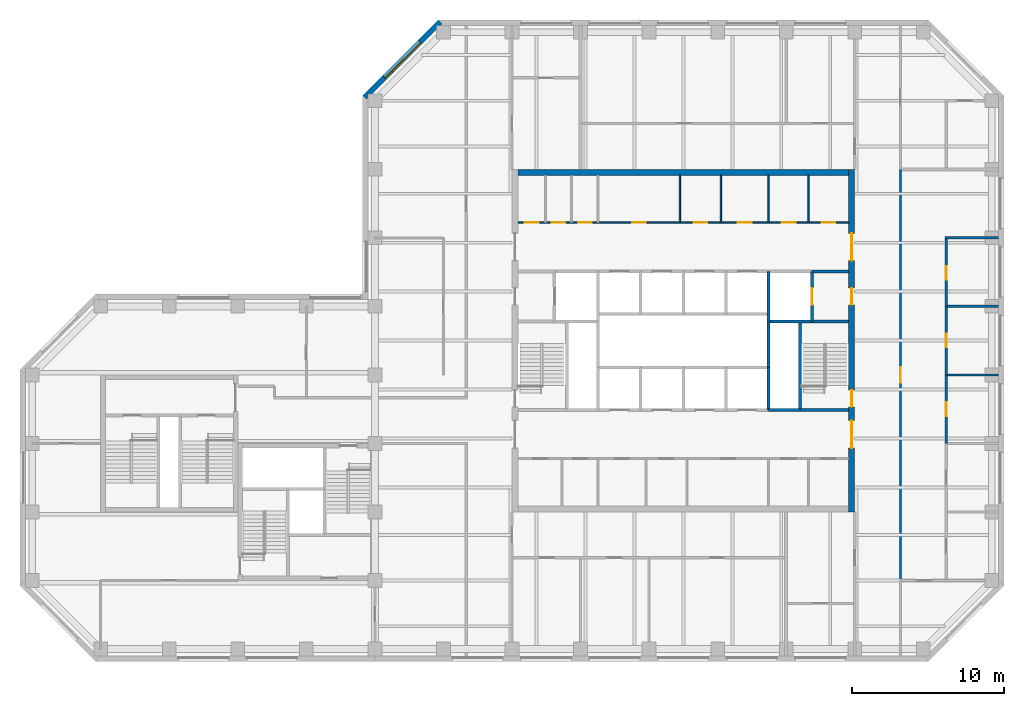
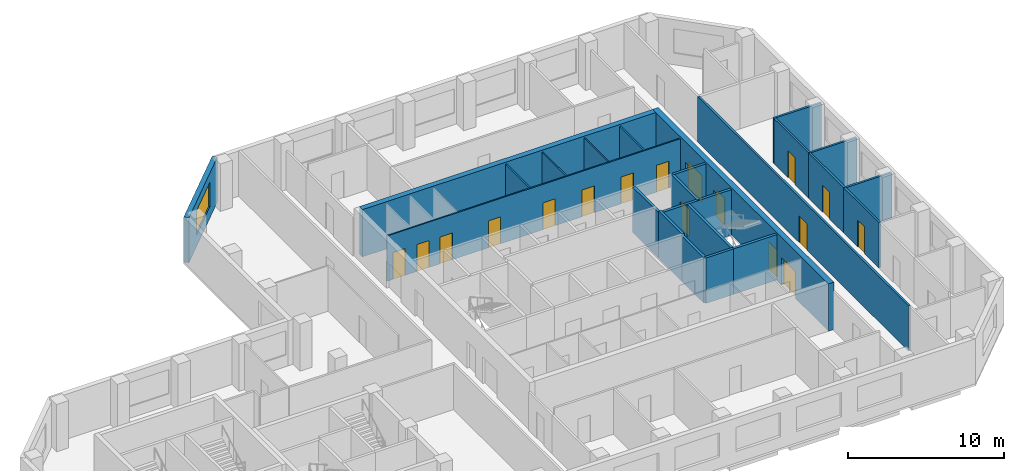
# One storey, part 6 of 9: 24 walls, 17 doors, 1 window, 18 openings.
"""IFC4 building model written with IfcOpenShell, lengths in metres."""

import ifcopenshell
import ifcopenshell.guid

model = None  # the IFC model being written
_history = None  # IfcOwnerHistory: only IFC2X3 demands one
_inside = {}  # id of a spatial element -> (the spatial element, [elements in it])
_under = {}  # id of a project, library or spatial element -> (it, [spatial elements below it])
_declared = {}  # id of a project -> (the project, [libraries it declares])
_typed = {}  # id of a type object -> (the type object, [elements of that type])
_made_of = {}  # id of a material, layer set ... -> (it, [elements and type objects made of it])


def new_model(schema):
    """Start an empty IFC model of exactly this schema.

    Asked for "IFC4X3", IfcOpenShell would pick the latest addendum, in which some entities
    have other attributes; the version numbers below select the first issue.
    IFC2X3 requires an IfcOwnerHistory on every rooted entity: one is made here for all.
    """
    global model, _history
    if schema == "IFC4X3":
        model = ifcopenshell.file(schema_version=(4, 3, 0, 0))
    else:
        model = ifcopenshell.file(schema=schema)
    _inside.clear()
    _under.clear()
    _declared.clear()
    _typed.clear()
    _made_of.clear()
    _history = None
    if model.schema == "IFC2X3":
        org = make("IfcOrganization", Name="unknown")
        user = make(
            "IfcPersonAndOrganization",
            ThePerson=make("IfcPerson", FamilyName="unknown"),
            TheOrganization=org,
        )
        app = make(
            "IfcApplication",
            ApplicationDeveloper=org,
            Version="unknown",
            ApplicationFullName="unknown",
            ApplicationIdentifier="unknown",
        )
        _history = make(
            "IfcOwnerHistory",
            OwningUser=user,
            OwningApplication=app,
            ChangeAction="ADDED",
            CreationDate=0,
        )
    return model


def make(cls, **values):
    """One entity of the class cls with the attributes given. An attribute that is None is left unset."""
    return model.create_entity(
        cls, **{name: value for name, value in values.items() if value is not None}
    )


def rooted(cls, **values):
    """An entity with a GlobalId (a new one), such as an element, a storey or a relation."""
    return make(cls, GlobalId=ifcopenshell.guid.new(), OwnerHistory=_history, **values)


def si_unit(unit_type, name, prefix=None):
    """IfcSIUnit, for example si_unit("LENGTHUNIT", "METRE", prefix="MILLI")."""
    return make("IfcSIUnit", UnitType=unit_type, Prefix=prefix, Name=name)


def assignment(units):
    """IfcUnitAssignment: the units of a project."""
    return None if units is None else make("IfcUnitAssignment", Units=units)


def point(xyz):
    """IfcCartesianPoint."""
    return None if xyz is None else make("IfcCartesianPoint", Coordinates=xyz)


def direction(xyz):
    """IfcDirection."""
    return None if xyz is None else make("IfcDirection", DirectionRatios=xyz)


def frame(location, z_axis=None, x_axis=None):
    """IfcAxis2Placement3D, a coordinate frame: its origin and axes. An axis left out is left unset."""
    return make(
        "IfcAxis2Placement3D",
        Location=point(location),
        Axis=direction(z_axis),
        RefDirection=direction(x_axis),
    )


def frame_2d(location, x_axis=None):
    """IfcAxis2Placement2D, a coordinate frame in the plane: its origin and x axis."""
    return make(
        "IfcAxis2Placement2D", Location=point(location), RefDirection=direction(x_axis)
    )


def origin():
    """The frame at (0, 0, 0) with its axes left unset."""
    return frame((0.0, 0.0, 0.0))


def place(relative_to, where):
    """IfcLocalPlacement: puts the frame where relative to a parent placement (None: the world)."""
    return make(
        "IfcLocalPlacement", PlacementRelTo=relative_to, RelativePlacement=where
    )


def context(
    kind, dimensions, precision=None, world=None, true_north=None, identifier=None
):
    """IfcGeometricRepresentationContext, for example the 3D "Model" context."""
    return make(
        "IfcGeometricRepresentationContext",
        ContextIdentifier=identifier,
        ContextType=kind,
        CoordinateSpaceDimension=dimensions,
        Precision=precision,
        WorldCoordinateSystem=world,
        TrueNorth=true_north,
    )


def subcontext(parent, identifier, kind, view, scale=None):
    """IfcGeometricRepresentationSubContext, for example "Body" below "Model"."""
    return make(
        "IfcGeometricRepresentationSubContext",
        ContextIdentifier=identifier,
        ContextType=kind,
        ParentContext=parent,
        TargetScale=scale,
        TargetView=view,
    )


def project(units=None, contexts=None):
    """IfcProject with its units and contexts."""
    return rooted(
        "IfcProject",
        Name="project",
        RepresentationContexts=contexts,
        UnitsInContext=assignment(units),
    )


def spatial(cls, under=None, at=None, **own):
    """A site, building, storey or space (cls), placed at a placement, below another one or the project."""
    s = rooted(cls, ObjectPlacement=at, **own)
    if under is not None:
        _under.setdefault(under.id(), (under, []))[1].append(s)
    return s


def profile(cls, at=None, kind="AREA", **sizes):
    """A parametric profile (cls). Its sizes go by their IFC names, for example OverallWidth=200.0."""
    return make(cls, ProfileType=kind, Position=at, **sizes)


def rectangle(**sizes):
    """IfcRectangleProfileDef."""
    return profile("IfcRectangleProfileDef", **sizes)


def extrude(swept, where, along, depth):
    """IfcExtrudedAreaSolid: the profile swept, set in the frame where, extruded along a direction by depth."""
    return make(
        "IfcExtrudedAreaSolid",
        SweptArea=swept,
        Position=where,
        ExtrudedDirection=direction(along),
        Depth=depth,
    )


def shape(context_of_items, identifier, shape_type, items):
    """IfcShapeRepresentation: the items that make up one representation, for example the "Body"."""
    return make(
        "IfcShapeRepresentation",
        ContextOfItems=context_of_items,
        RepresentationIdentifier=identifier,
        RepresentationType=shape_type,
        Items=items,
    )


def material(Name=None, Category=None):
    """IfcMaterial."""
    return make("IfcMaterial", Name=Name, Category=Category)


def layer(
    of_material, thickness, ventilated=None, Name=None, Category=None, Priority=None
):
    """IfcMaterialLayer: one layer of a wall or slab, of a material (None: an air gap)."""
    return make(
        "IfcMaterialLayer",
        Material=of_material,
        LayerThickness=thickness,
        IsVentilated=ventilated,
        Name=Name,
        Category=Category,
        Priority=Priority,
    )


def layer_set(layers, Name=None):
    """IfcMaterialLayerSet."""
    return make("IfcMaterialLayerSet", MaterialLayers=layers, LayerSetName=Name)


def constituent(of_material, Name=None, Category=None, fraction=None):
    """IfcMaterialConstituent: one of the materials an element consists of."""
    return make(
        "IfcMaterialConstituent",
        Name=Name,
        Material=of_material,
        Fraction=fraction,
        Category=Category,
    )


def constituent_set(constituents=None, Name=None):
    """IfcMaterialConstituentSet."""
    return make(
        "IfcMaterialConstituentSet", Name=Name, MaterialConstituents=constituents
    )


def made_of(thing, what):
    """Note that an element or type object is made of a material, layer set ...; save() writes the relation."""
    if what is not None:
        _made_of.setdefault(what.id(), (what, []))[1].append(thing)
    return thing


def type_object(cls, material=None, **own):
    """A type object (cls), such as IfcWallType, which elements share."""
    return made_of(rooted(cls, **own), material)


def element(
    cls,
    number,
    at=None,
    inside=None,
    cuts=None,
    type_object=None,
    material=None,
    context=None,
    identifier="Body",
    shape_type=None,
    held_by="IfcProductDefinitionShape",
    body=None,
    shapes=None,
    **own,
):
    """One element of the class cls, such as IfcWall. Its Tag is "e" and its number.

    at: its placement. inside: the storey or other place that contains it. cuts: it is an
    opening in that element (IfcRelVoidsElement). A single representation is given by context,
    identifier, shape_type and body (its items); several are given by shapes. held_by: the class
    of the entity that holds the representations. save() writes the other relations.
    """
    e = rooted(cls, Tag="e%d" % number, ObjectPlacement=at, **own)
    if body is not None:
        shapes = [shape(context, identifier, shape_type, body)]
    if shapes is not None:
        e.Representation = make(held_by, Representations=shapes)
    if inside is not None:
        _inside.setdefault(inside.id(), (inside, []))[1].append(e)
    if cuts is not None:
        rooted(
            "IfcRelVoidsElement", RelatingBuildingElement=cuts, RelatedOpeningElement=e
        )
    if type_object is not None:
        _typed.setdefault(type_object.id(), (type_object, []))[1].append(e)
    return made_of(e, material)


def fill(opening, filler):
    """IfcRelFillsElement: the door or window that sits in an opening."""
    return rooted(
        "IfcRelFillsElement",
        RelatingOpeningElement=opening,
        RelatedBuildingElement=filler,
    )


def aggregate(whole, parts):
    """IfcRelAggregates: a whole, such as a stair, and the parts it consists of."""
    return rooted("IfcRelAggregates", RelatingObject=whole, RelatedObjects=parts)


def save(model, path):
    """Write the relations noted so far, then the file.

    IfcRelAggregates (storeys below a building ...), IfcRelContainedInSpatialStructure (elements
    in a storey), IfcRelDefinesByType, IfcRelAssociatesMaterial and IfcRelDeclares: one each for
    every whole, place, type object, material and project.
    """
    for whole, parts in _under.values():
        aggregate(whole, parts)
    for where, things in _inside.values():
        rooted(
            "IfcRelContainedInSpatialStructure",
            RelatedElements=things,
            RelatingStructure=where,
        )
    for kind, things in _typed.values():
        rooted("IfcRelDefinesByType", RelatedObjects=things, RelatingType=kind)
    for what, things in _made_of.values():
        rooted("IfcRelAssociatesMaterial", RelatedObjects=things, RelatingMaterial=what)
    for by, libraries in _declared.values():
        rooted("IfcRelDeclares", RelatingContext=by, RelatedDefinitions=libraries)
    model.write(path)


model = new_model("IFC4")

# Units and contexts
model_context = context("Model", 3, precision=1e-05, world=origin(), true_north=direction((0.0, 1.0)))
body_context = subcontext(model_context, "Body", "Model", "MODEL_VIEW")
ifc_project = project(units=[si_unit("LENGTHUNIT", "METRE"), si_unit("AREAUNIT", "SQUARE_METRE"), si_unit("VOLUMEUNIT", "CUBIC_METRE"), si_unit("PLANEANGLEUNIT", "RADIAN"), si_unit("MASSUNIT", "GRAM", prefix="KILO")], contexts=[model_context])

# Site, building, storey
site_placement = place(None, origin())
site = spatial("IfcSite", under=ifc_project, at=site_placement, CompositionType="ELEMENT")
building_placement = place(site_placement, origin())
building = spatial("IfcBuilding", under=site, at=building_placement, Name="Quoin Convention Tower", CompositionType="ELEMENT")
storey_placement = place(building_placement, frame((0.0, 0.0, 181.0)))
storey = spatial("IfcBuildingStorey", under=building, at=storey_placement, Name="L47", CompositionType="ELEMENT", Elevation=181.0)

# Walls
ifc_material_1 = material(Name="Plasterboard")
ifc_layer_1 = layer(ifc_material_1, 0.012451171875, Name="Finish")
ifc_material_2 = material(Name="Steel stud framing", Category="steel")
ifc_layer_2 = layer(ifc_material_2, 0.125, Name="Structure")
ifc_layer_3 = layer(ifc_material_1, 0.012451171875, Name="Finish")
ifc_layer_set_1 = layer_set([ifc_layer_1, ifc_layer_2, ifc_layer_3], Name="Steel stud framing")
wall_type_1 = type_object("IfcWallType", Name="Acoustic partition 150", PredefinedType="PARTITIONING", material=ifc_layer_set_1)
for number, where, z_axis, x_axis, name in (
    (1, (73.574951171875, 58.5, 0.0), (0.0, 0.0, 1.0), (1.0, 0.0, 0.0), "pw-L47-015"),
    (2, (73.574951171875, 63.0, 0.0), (0.0, 0.0, 1.0), (1.0, 0.0, 0.0), "pw-L47-017"),
):
    element("IfcWall", number, at=place(storey_placement, frame(where, z_axis=z_axis, x_axis=x_axis)), inside=storey, type_object=wall_type_1, Name=name, PredefinedType="PARTITIONING", context=body_context, shape_type="SweptSolid", body=[
        extrude(rectangle(XDim=3.375, YDim=0.14990234375, at=frame_2d((1.6875, 0.0))), origin(), (0.0, 0.0, 1.0), 3.550048828125),
    ])
wall_1_placement = place(storey_placement, frame((73.425048828125, 67.5, 0.0), z_axis=(0.0, 0.0, 1.0), x_axis=(1.0, 0.0, 0.0)))
element("IfcWall", 3, at=wall_1_placement, inside=storey, type_object=wall_type_1, Name="pw-L47-018", PredefinedType="PARTITIONING", context=body_context, shape_type="SweptSolid", body=[
    extrude(rectangle(XDim=3.52490234375, YDim=0.14990234375, at=frame_2d((1.762451171875, 0.0))), origin(), (0.0, 0.0, 1.0), 3.550048828125),
])

# Wall, opening, door
wall_2_placement = place(storey_placement, frame((73.5, 54.0, 0.0), z_axis=(0.0, 0.0, 1.0), x_axis=(0.0, 1.0, 0.0)))
wall_2 = element("IfcWall", 4, at=wall_2_placement, inside=storey, type_object=wall_type_1, Name="pw-L47-044", PredefinedType="PARTITIONING", context=body_context, shape_type="SweptSolid", body=[
    extrude(rectangle(XDim=4.5, YDim=0.14990234375, at=frame_2d((2.25, 0.0))), origin(), (0.0, 0.0, 1.0), 3.550048828125),
])
opening_1_placement = place(wall_2_placement, frame((1.800048828125, 0.0, 0.0)))
opening_1 = element("IfcOpeningElement", 5, at=opening_1_placement, cuts=wall_2, Name="Opening DOH5-16", PredefinedType="OPENING", context=body_context, shape_type="SweptSolid", body=[
    extrude(rectangle(XDim=0.89990234375, YDim=2.10009765625, at=frame_2d((0.449951171875, 1.050048828125))), frame((0.0, 0.0849609375, 0.0), z_axis=(0.0, -1.0, 0.0), x_axis=(1.0, 0.0, 0.0)), (0.0, 0.0, 1.0), 0.169921875),
])
ifc_material_3 = material(Name="Steel door leaf", Category="steel")
door_type_1 = type_object("IfcDoorType", Name="Office door 900 x 2100", OperationType="SINGLE_SWING_RIGHT", PredefinedType="DOOR", material=ifc_material_3)
door_1_placement = place(opening_1_placement, origin())
door_1 = element("IfcDoor", 6, at=door_1_placement, inside=storey, type_object=door_type_1, Name="dr-L47-22", OperationType="SINGLE_SWING_RIGHT", OverallHeight=2.10009765625, OverallWidth=0.89990234375, PredefinedType="DOOR", context=body_context, shape_type="SweptSolid", body=[
    extrude(rectangle(XDim=0.89990234375, YDim=2.10009765625, at=frame_2d((0.449951171875, 1.050048828125))), frame((0.0, 0.02490234375, 0.0), z_axis=(0.0, -1.0, 0.0), x_axis=(1.0, 0.0, 0.0)), (0.0, 0.0, 1.0), 0.050048828125),
])
fill(opening_1, door_1)

wall_3_placement = place(storey_placement, frame((73.5, 58.5, 0.0), z_axis=(0.0, 0.0, 1.0), x_axis=(0.0, 1.0, 0.0)))
wall_3 = element("IfcWall", 7, at=wall_3_placement, inside=storey, type_object=wall_type_1, Name="pw-L47-046", PredefinedType="PARTITIONING", context=body_context, shape_type="SweptSolid", body=[
    extrude(rectangle(XDim=4.5, YDim=0.14990234375, at=frame_2d((2.25, 0.0))), origin(), (0.0, 0.0, 1.0), 3.550048828125),
])
opening_2_placement = place(wall_3_placement, frame((1.800048828125, 0.0, 0.0)))
opening_2 = element("IfcOpeningElement", 8, at=opening_2_placement, cuts=wall_3, Name="Opening DOH5-18", PredefinedType="OPENING", context=body_context, shape_type="SweptSolid", body=[
    extrude(rectangle(XDim=0.89990234375, YDim=2.10009765625, at=frame_2d((0.449951171875, 1.050048828125))), frame((0.0, 0.0849609375, 0.0), z_axis=(0.0, -1.0, 0.0), x_axis=(1.0, 0.0, 0.0)), (0.0, 0.0, 1.0), 0.169921875),
])
door_2_placement = place(opening_2_placement, origin())
door_2 = element("IfcDoor", 9, at=door_2_placement, inside=storey, type_object=door_type_1, Name="dr-L47-23", OperationType="SINGLE_SWING_RIGHT", OverallHeight=2.10009765625, OverallWidth=0.89990234375, PredefinedType="DOOR", context=body_context, shape_type="SweptSolid", body=[
    extrude(rectangle(XDim=0.89990234375, YDim=2.10009765625, at=frame_2d((0.449951171875, 1.050048828125))), frame((0.0, 0.02490234375, 0.0), z_axis=(0.0, -1.0, 0.0), x_axis=(1.0, 0.0, 0.0)), (0.0, 0.0, 1.0), 0.050048828125),
])
fill(opening_2, door_2)

wall_4_placement = place(storey_placement, frame((73.5, 63.0, 0.0), z_axis=(0.0, 0.0, 1.0), x_axis=(0.0, 1.0, 0.0)))
wall_4 = element("IfcWall", 10, at=wall_4_placement, inside=storey, type_object=wall_type_1, Name="pw-L47-049", PredefinedType="PARTITIONING", context=body_context, shape_type="SweptSolid", body=[
    extrude(rectangle(XDim=4.425048828125, YDim=0.14990234375, at=frame_2d((2.21240234375, 0.0))), origin(), (0.0, 0.0, 1.0), 3.550048828125),
])
opening_3_placement = place(wall_4_placement, frame((1.75, 0.0, 0.0)))
opening_3 = element("IfcOpeningElement", 11, at=opening_3_placement, cuts=wall_4, Name="Opening DOH5-19", PredefinedType="OPENING", context=body_context, shape_type="SweptSolid", body=[
    extrude(rectangle(XDim=0.89990234375, YDim=2.10009765625, at=frame_2d((0.449951171875, 1.050048828125))), frame((0.0, 0.0849609375, 0.0), z_axis=(0.0, -1.0, 0.0), x_axis=(1.0, 0.0, 0.0)), (0.0, 0.0, 1.0), 0.169921875),
])
door_3_placement = place(opening_3_placement, origin())
door_3 = element("IfcDoor", 12, at=door_3_placement, inside=storey, type_object=door_type_1, Name="dr-L47-24", OperationType="SINGLE_SWING_RIGHT", OverallHeight=2.10009765625, OverallWidth=0.89990234375, PredefinedType="DOOR", context=body_context, shape_type="SweptSolid", body=[
    extrude(rectangle(XDim=0.89990234375, YDim=2.10009765625, at=frame_2d((0.449951171875, 1.050048828125))), frame((0.0, 0.02490234375, 0.0), z_axis=(0.0, -1.0, 0.0), x_axis=(1.0, 0.0, 0.0)), (0.0, 0.0, 1.0), 0.050048828125),
])
fill(opening_3, door_3)

# Wall, opening, window
ifc_material_4 = material(Name="Brick masonry", Category="masonry")
ifc_layer_4 = layer(ifc_material_4, 0.35009765625)
ifc_layer_set_2 = layer_set([ifc_layer_4], Name="Brick masonry")
wall_type_2 = type_object("IfcWallType", Name="Brick facade wall", PredefinedType="STANDARD", material=ifc_layer_set_2)
wall_5_placement = place(storey_placement, frame((40.29248046875, 81.67626953125, 0.0), z_axis=(0.0, 0.0, 1.0), x_axis=(-0.707106781187, -0.707106781187, 0.0)))
wall_5 = element("IfcWall", 13, at=wall_5_placement, inside=storey, type_object=wall_type_2, Name="fw-L47-40500_81000", PredefinedType="STANDARD", context=body_context, shape_type="SweptSolid", body=[
    extrude(rectangle(XDim=7.02685546875, YDim=0.35009765625, at=frame_2d((3.513427734375, 0.0))), origin(), (0.0, 0.0, 1.0), 3.52490234375),
])
opening_4_placement = place(wall_5_placement, frame((1.86328125, 0.0, 0.89990234375)))
opening_4 = element("IfcOpeningElement", 14, at=opening_4_placement, cuts=wall_5, Name="Opening W-02", PredefinedType="OPENING", context=body_context, shape_type="SweptSolid", body=[
    extrude(rectangle(XDim=3.300048828125, YDim=1.89990234375, at=frame_2d((1.64990234375, 0.949951171875))), frame((0.0, 0.18505859375, 0.0), z_axis=(0.0, -1.0, 0.0), x_axis=(1.0, 0.0, 0.0)), (0.0, 0.0, 1.0), 0.3701171875),
])
ifc_material_5 = material(Name="Aluminium", Category="aluminium")
ifc_constituent_1 = constituent(ifc_material_5, Name="Frame")
ifc_material_6 = material(Name="Insulated glass", Category="glass")
ifc_constituent_2 = constituent(ifc_material_6, Name="Glazing")
ifc_constituent_set = constituent_set(constituents=[ifc_constituent_1, ifc_constituent_2], Name="Aluminium")
window_type = type_object("IfcWindowType", Name="Office window", PartitioningType="DOUBLE_PANEL_VERTICAL", PredefinedType="WINDOW", material=ifc_constituent_set)
window_placement = place(opening_4_placement, origin())
window = element("IfcWindow", 15, at=window_placement, inside=storey, type_object=window_type, Name="win-L47-37808_79192", OverallHeight=1.89990234375, OverallWidth=3.300048828125, PartitioningType="SINGLE_PANEL", PredefinedType="WINDOW", context=body_context, shape_type="SweptSolid", body=[
    extrude(rectangle(XDim=3.300048828125, YDim=1.89990234375, at=frame_2d((1.64990234375, 0.949951171875))), frame((0.0, 0.0849609375, 0.0), z_axis=(0.0, -1.0, 0.0), x_axis=(1.0, 0.0, 0.0)), (0.0, 0.0, 1.0), 0.06005859375),
])
fill(opening_4, window)

# Wall, openings, doors
ifc_layer_5 = layer(ifc_material_1, 0.012451171875, Name="Finish")
ifc_layer_6 = layer(ifc_material_2, 0.074951171875, Name="Structure")
ifc_layer_7 = layer(ifc_material_1, 0.012451171875, Name="Finish")
ifc_layer_set_3 = layer_set([ifc_layer_5, ifc_layer_6, ifc_layer_7], Name="Steel stud framing")
wall_type_3 = type_object("IfcWallType", Name="Core partition wall", PredefinedType="PARTITIONING", material=ifc_layer_set_3)
wall_6_placement = place(storey_placement, frame((45.39990234375, 68.5, 0.0), z_axis=(0.0, 0.0, 1.0), x_axis=(1.0, 0.0, 0.0)))
wall_6 = element("IfcWall", 16, at=wall_6_placement, inside=storey, type_object=wall_type_3, Name="cr-C1-L47-h19000_400", PredefinedType="PARTITIONING", context=body_context, shape_type="SweptSolid", body=[
    extrude(rectangle(XDim=21.7001953125, YDim=0.10009765625, at=frame_2d((10.85009765625, 0.0))), origin(), (0.0, 0.0, 1.0), 3.550048828125),
])
opening_5_placement = place(wall_6_placement, frame((19.9375, 0.0, 0.0)))
opening_5 = element("IfcOpeningElement", 17, at=opening_5_placement, cuts=wall_6, Name="Opening DCV4-14", PredefinedType="OPENING", context=body_context, shape_type="SweptSolid", body=[
    extrude(rectangle(XDim=0.89990234375, YDim=2.10009765625, at=frame_2d((0.449951171875, 1.050048828125))), frame((0.0, 0.06005859375, 0.0), z_axis=(0.0, -1.0, 0.0), x_axis=(1.0, 0.0, 0.0)), (0.0, 0.0, 1.0), 0.1201171875),
])
opening_6_placement = place(wall_6_placement, frame((17.3125, 0.0, 0.0)))
opening_6 = element("IfcOpeningElement", 18, at=opening_6_placement, cuts=wall_6, Name="Opening DCV4-13", PredefinedType="OPENING", context=body_context, shape_type="SweptSolid", body=[
    extrude(rectangle(XDim=0.89990234375, YDim=2.10009765625, at=frame_2d((0.449951171875, 1.050048828125))), frame((0.0, 0.06005859375, 0.0), z_axis=(0.0, -1.0, 0.0), x_axis=(1.0, 0.0, 0.0)), (0.0, 0.0, 1.0), 0.1201171875),
])
opening_7_placement = place(wall_6_placement, frame((0.4423828125, 0.0, 0.0)))
opening_7 = element("IfcOpeningElement", 19, at=opening_7_placement, cuts=wall_6, Name="Opening DCV4-05", PredefinedType="OPENING", context=body_context, shape_type="SweptSolid", body=[
    extrude(rectangle(XDim=0.89990234375, YDim=2.10009765625, at=frame_2d((0.449951171875, 1.050048828125))), frame((0.0, 0.06005859375, 0.0), z_axis=(0.0, -1.0, 0.0), x_axis=(1.0, 0.0, 0.0)), (0.0, 0.0, 1.0), 0.1201171875),
])
opening_8_placement = place(wall_6_placement, frame((2.201416015625, 0.0, 0.0)))
opening_8 = element("IfcOpeningElement", 20, at=opening_8_placement, cuts=wall_6, Name="Opening DCV4-06", PredefinedType="OPENING", context=body_context, shape_type="SweptSolid", body=[
    extrude(rectangle(XDim=0.89990234375, YDim=2.10009765625, at=frame_2d((0.449951171875, 1.050048828125))), frame((0.0, 0.06005859375, 0.0), z_axis=(0.0, -1.0, 0.0), x_axis=(1.0, 0.0, 0.0)), (0.0, 0.0, 1.0), 0.1201171875),
])
opening_9_placement = place(wall_6_placement, frame((3.93359375, 0.0, 0.0)))
opening_9 = element("IfcOpeningElement", 21, at=opening_9_placement, cuts=wall_6, Name="Opening DCV4-07", PredefinedType="OPENING", context=body_context, shape_type="SweptSolid", body=[
    extrude(rectangle(XDim=0.89990234375, YDim=2.10009765625, at=frame_2d((0.449951171875, 1.050048828125))), frame((0.0, 0.06005859375, 0.0), z_axis=(0.0, -1.0, 0.0), x_axis=(1.0, 0.0, 0.0)), (0.0, 0.0, 1.0), 0.1201171875),
])
opening_10_placement = place(wall_6_placement, frame((14.431884765625, 0.0, 0.0)))
opening_10 = element("IfcOpeningElement", 22, at=opening_10_placement, cuts=wall_6, Name="Opening DCV4-12", PredefinedType="OPENING", context=body_context, shape_type="SweptSolid", body=[
    extrude(rectangle(XDim=0.89990234375, YDim=2.10009765625, at=frame_2d((0.449951171875, 1.050048828125))), frame((0.0, 0.06005859375, 0.0), z_axis=(0.0, -1.0, 0.0), x_axis=(1.0, 0.0, 0.0)), (0.0, 0.0, 1.0), 0.1201171875),
])
opening_11_placement = place(wall_6_placement, frame((11.52001953125, 0.0, 0.0)))
opening_11 = element("IfcOpeningElement", 23, at=opening_11_placement, cuts=wall_6, Name="Opening DCV4-10", PredefinedType="OPENING", context=body_context, shape_type="SweptSolid", body=[
    extrude(rectangle(XDim=0.89990234375, YDim=2.10009765625, at=frame_2d((0.449951171875, 1.050048828125))), frame((0.0, 0.06005859375, 0.0), z_axis=(0.0, -1.0, 0.0), x_axis=(1.0, 0.0, 0.0)), (0.0, 0.0, 1.0), 0.1201171875),
])
opening_12_placement = place(wall_6_placement, frame((7.488037109375, 0.0, 0.0)))
opening_12 = element("IfcOpeningElement", 24, at=opening_12_placement, cuts=wall_6, Name="Opening DCV4-09", PredefinedType="OPENING", context=body_context, shape_type="SweptSolid", body=[
    extrude(rectangle(XDim=0.89990234375, YDim=2.10009765625, at=frame_2d((0.449951171875, 1.050048828125))), frame((0.0, 0.06005859375, 0.0), z_axis=(0.0, -1.0, 0.0), x_axis=(1.0, 0.0, 0.0)), (0.0, 0.0, 1.0), 0.1201171875),
])
door_type_2 = type_object("IfcDoorType", Name="Core room door 900 x 2100", OperationType="SINGLE_SWING_LEFT", PredefinedType="DOOR", material=ifc_material_3)
door_4_placement = place(opening_5_placement, origin())
door_4 = element("IfcDoor", 25, at=door_4_placement, inside=storey, type_object=door_type_2, Name="cd-C1-L47-CNE0-lobB-CD4707", OperationType="SINGLE_SWING_RIGHT", OverallHeight=2.10009765625, OverallWidth=0.89990234375, PredefinedType="DOOR", context=body_context, shape_type="SweptSolid", body=[
    extrude(rectangle(XDim=0.89990234375, YDim=2.10009765625, at=frame_2d((0.449951171875, 1.050048828125))), frame((0.0, 0.02490234375, 0.0), z_axis=(0.0, -1.0, 0.0), x_axis=(1.0, 0.0, 0.0)), (0.0, 0.0, 1.0), 0.050048828125),
])
fill(opening_5, door_4)
door_5_placement = place(opening_6_placement, origin())
door_5 = element("IfcDoor", 26, at=door_5_placement, inside=storey, type_object=door_type_2, Name="cd-C1-L47-CNE1-lobB-CD4708", OperationType="SINGLE_SWING_RIGHT", OverallHeight=2.10009765625, OverallWidth=0.89990234375, PredefinedType="DOOR", context=body_context, shape_type="SweptSolid", body=[
    extrude(rectangle(XDim=0.89990234375, YDim=2.10009765625, at=frame_2d((0.449951171875, 1.050048828125))), frame((0.0, 0.02490234375, 0.0), z_axis=(0.0, -1.0, 0.0), x_axis=(1.0, 0.0, 0.0)), (0.0, 0.0, 1.0), 0.050048828125),
])
fill(opening_6, door_5)
door_6_placement = place(opening_7_placement, origin())
door_6 = element("IfcDoor", 27, at=door_6_placement, inside=storey, type_object=door_type_2, Name="cd-C1-L47-CNW0-lobB-CD4709", OperationType="SINGLE_SWING_RIGHT", OverallHeight=2.10009765625, OverallWidth=0.89990234375, PredefinedType="DOOR", context=body_context, shape_type="SweptSolid", body=[
    extrude(rectangle(XDim=0.89990234375, YDim=2.10009765625, at=frame_2d((0.449951171875, 1.050048828125))), frame((0.0, 0.02490234375, 0.0), z_axis=(0.0, -1.0, 0.0), x_axis=(1.0, 0.0, 0.0)), (0.0, 0.0, 1.0), 0.050048828125),
])
fill(opening_7, door_6)
door_7_placement = place(opening_8_placement, origin())
door_7 = element("IfcDoor", 28, at=door_7_placement, inside=storey, type_object=door_type_2, Name="cd-C1-L47-CNW1-lobB-CD4710", OperationType="SINGLE_SWING_RIGHT", OverallHeight=2.10009765625, OverallWidth=0.89990234375, PredefinedType="DOOR", context=body_context, shape_type="SweptSolid", body=[
    extrude(rectangle(XDim=0.89990234375, YDim=2.10009765625, at=frame_2d((0.449951171875, 1.050048828125))), frame((0.0, 0.02490234375, 0.0), z_axis=(0.0, -1.0, 0.0), x_axis=(1.0, 0.0, 0.0)), (0.0, 0.0, 1.0), 0.050048828125),
])
fill(opening_8, door_7)
door_8_placement = place(opening_9_placement, origin())
door_8 = element("IfcDoor", 29, at=door_8_placement, inside=storey, type_object=door_type_2, Name="cd-C1-L47-CNW2-lobB-CD4711", OperationType="SINGLE_SWING_RIGHT", OverallHeight=2.10009765625, OverallWidth=0.89990234375, PredefinedType="DOOR", context=body_context, shape_type="SweptSolid", body=[
    extrude(rectangle(XDim=0.89990234375, YDim=2.10009765625, at=frame_2d((0.449951171875, 1.050048828125))), frame((0.0, 0.02490234375, 0.0), z_axis=(0.0, -1.0, 0.0), x_axis=(1.0, 0.0, 0.0)), (0.0, 0.0, 1.0), 0.050048828125),
])
fill(opening_9, door_8)
door_9_placement = place(opening_10_placement, origin())
door_9 = element("IfcDoor", 30, at=door_9_placement, inside=storey, type_object=door_type_2, Name="cd-C1-L47-F40-lobB-CD4719", OperationType="SINGLE_SWING_RIGHT", OverallHeight=2.10009765625, OverallWidth=0.89990234375, PredefinedType="DOOR", context=body_context, shape_type="SweptSolid", body=[
    extrude(rectangle(XDim=0.89990234375, YDim=2.10009765625, at=frame_2d((0.449951171875, 1.050048828125))), frame((0.0, 0.02490234375, 0.0), z_axis=(0.0, -1.0, 0.0), x_axis=(1.0, 0.0, 0.0)), (0.0, 0.0, 1.0), 0.050048828125),
])
fill(opening_10, door_9)
door_10_placement = place(opening_11_placement, origin())
door_10 = element("IfcDoor", 31, at=door_10_placement, inside=storey, type_object=door_type_2, Name="cd-C1-L47-F41-lobB-CD4720", OperationType="SINGLE_SWING_RIGHT", OverallHeight=2.10009765625, OverallWidth=0.89990234375, PredefinedType="DOOR", context=body_context, shape_type="SweptSolid", body=[
    extrude(rectangle(XDim=0.89990234375, YDim=2.10009765625, at=frame_2d((0.449951171875, 1.050048828125))), frame((0.0, 0.02490234375, 0.0), z_axis=(0.0, -1.0, 0.0), x_axis=(1.0, 0.0, 0.0)), (0.0, 0.0, 1.0), 0.050048828125),
])
fill(opening_11, door_10)
door_11_placement = place(opening_12_placement, origin())
door_11 = element("IfcDoor", 32, at=door_11_placement, inside=storey, type_object=door_type_2, Name="cd-C1-L47-F42-lobB-CD4721", OperationType="SINGLE_SWING_RIGHT", OverallHeight=2.10009765625, OverallWidth=0.89990234375, PredefinedType="DOOR", context=body_context, shape_type="SweptSolid", body=[
    extrude(rectangle(XDim=0.89990234375, YDim=2.10009765625, at=frame_2d((0.449951171875, 1.050048828125))), frame((0.0, 0.02490234375, 0.0), z_axis=(0.0, -1.0, 0.0), x_axis=(1.0, 0.0, 0.0)), (0.0, 0.0, 1.0), 0.050048828125),
])
fill(opening_12, door_11)

# Walls
for number, where, z_axis, x_axis, name in (
    (33, (56.02587890625, 68.5, 0.0), (0.0, 0.0, 1.0), (0.0, 1.0, 0.0), "cr-C1-L47-v11026_19000"),
    (34, (58.714111328125, 68.5, 0.0), (0.0, 0.0, 1.0), (0.0, 1.0, 0.0), "cr-C1-L47-v13714_19000"),
    (35, (61.85009765625, 68.5, 0.0), (0.0, 0.0, 1.0), (0.0, 1.0, 0.0), "cr-C1-L47-v16850_19000"),
    (36, (64.47509765625, 68.5, 0.0), (0.0, 0.0, 1.0), (0.0, 1.0, 0.0), "cr-C1-L47-v19475_19000"),
):
    element("IfcWall", number, at=place(storey_placement, frame(where, z_axis=z_axis, x_axis=x_axis)), inside=storey, type_object=wall_type_3, Name=name, PredefinedType="PARTITIONING", context=body_context, shape_type="SweptSolid", body=[
        extrude(rectangle(XDim=3.10009765625, YDim=0.10009765625, at=frame_2d((1.550048828125, 0.0))), origin(), (0.0, 0.0, 1.0), 3.550048828125),
    ])
ifc_material_7 = material(Name="Concrete C50", Category="concrete")
ifc_layer_8 = layer(ifc_material_7, 0.199951171875)
ifc_layer_set_4 = layer_set([ifc_layer_8], Name="Concrete C50")
wall_type_4 = type_object("IfcWallType", Name="Core shaft wall", PredefinedType="SOLIDWALL", material=ifc_layer_set_4)
wall_7_placement = place(storey_placement, frame((61.85009765625, 56.199951171875, 0.0), z_axis=(0.0, 0.0, 1.0), x_axis=(1.0, 0.0, 0.0)))
element("IfcWall", 37, at=wall_7_placement, inside=storey, type_object=wall_type_4, Name="cr-C1-L47-h6700_16850", PredefinedType="SOLIDWALL", context=body_context, shape_type="SweptSolid", body=[
    extrude(rectangle(XDim=2.0498046875, YDim=0.199951171875, at=frame_2d((1.02490234375, 0.0))), origin(), (0.0, 0.0, 1.0), 3.550048828125),
])
wall_8_placement = place(storey_placement, frame((63.89990234375, 56.199951171875, 0.0), z_axis=(0.0, 0.0, 1.0), x_axis=(1.0, 0.0, 0.0)))
element("IfcWall", 38, at=wall_8_placement, inside=storey, type_object=wall_type_4, Name="cr-C1-L47-h6700_18900", PredefinedType="SOLIDWALL", context=body_context, shape_type="SweptSolid", body=[
    extrude(rectangle(XDim=3.2001953125, YDim=0.199951171875, at=frame_2d((1.60009765625, 0.0))), origin(), (0.0, 0.0, 1.0), 3.550048828125),
])
wall_9_placement = place(storey_placement, frame((61.85009765625, 62.0, 0.0), z_axis=(0.0, 0.0, 1.0), x_axis=(1.0, 0.0, 0.0)))
element("IfcWall", 39, at=wall_9_placement, inside=storey, type_object=wall_type_4, Name="cr-C1-L47-h12500_16850", PredefinedType="SOLIDWALL", context=body_context, shape_type="SweptSolid", body=[
    extrude(rectangle(XDim=5.25, YDim=0.199951171875, at=frame_2d((2.625, 0.0))), origin(), (0.0, 0.0, 1.0), 3.550048828125),
])
wall_10_placement = place(storey_placement, frame((64.699951171875, 65.300048828125, 0.0), z_axis=(0.0, 0.0, 1.0), x_axis=(1.0, 0.0, 0.0)))
element("IfcWall", 40, at=wall_10_placement, inside=storey, type_object=wall_type_4, Name="cr-C1-L47-h15800_19700", PredefinedType="SOLIDWALL", context=body_context, shape_type="SweptSolid", body=[
    extrude(rectangle(XDim=2.400146484375, YDim=0.199951171875, at=frame_2d((1.2001953125, 0.0))), origin(), (0.0, 0.0, 1.0), 3.550048828125),
])
wall_11_placement = place(storey_placement, frame((61.85009765625, 56.199951171875, 0.0), z_axis=(0.0, 0.0, 1.0), x_axis=(0.0, 1.0, 0.0)))
element("IfcWall", 41, at=wall_11_placement, inside=storey, type_object=wall_type_4, Name="cr-C1-L47-v16850_6700", PredefinedType="SOLIDWALL", context=body_context, shape_type="SweptSolid", body=[
    extrude(rectangle(XDim=2.800048828125, YDim=0.199951171875, at=frame_2d((1.39990234375, 0.0))), origin(), (0.0, 0.0, 1.0), 3.550048828125),
])
wall_12_placement = place(storey_placement, frame((61.85009765625, 62.0, 0.0), z_axis=(0.0, 0.0, 1.0), x_axis=(0.0, 1.0, 0.0)))
element("IfcWall", 42, at=wall_12_placement, inside=storey, type_object=wall_type_4, Name="cr-C1-L47-v16850_12500", PredefinedType="SOLIDWALL", context=body_context, shape_type="SweptSolid", body=[
    extrude(rectangle(XDim=3.300048828125, YDim=0.199951171875, at=frame_2d((1.64990234375, 0.0))), origin(), (0.0, 0.0, 1.0), 3.550048828125),
])
wall_13_placement = place(storey_placement, frame((63.89990234375, 56.199951171875, 0.0), z_axis=(0.0, 0.0, 1.0), x_axis=(0.0, 1.0, 0.0)))
element("IfcWall", 43, at=wall_13_placement, inside=storey, type_object=wall_type_4, Name="cr-C1-L47-v18900_6700", PredefinedType="SOLIDWALL", context=body_context, shape_type="SweptSolid", body=[
    extrude(rectangle(XDim=5.800048828125, YDim=0.199951171875, at=frame_2d((2.89990234375, 0.0))), origin(), (0.0, 0.0, 1.0), 3.550048828125),
])

# Wall, opening, door
wall_14_placement = place(storey_placement, frame((64.699951171875, 62.0, 0.0), z_axis=(0.0, 0.0, 1.0), x_axis=(0.0, 1.0, 0.0)))
wall_14 = element("IfcWall", 44, at=wall_14_placement, inside=storey, type_object=wall_type_4, Name="cr-C1-L47-v19700_12500", PredefinedType="SOLIDWALL", context=body_context, shape_type="SweptSolid", body=[
    extrude(rectangle(XDim=3.300048828125, YDim=0.199951171875, at=frame_2d((1.64990234375, 0.0))), origin(), (0.0, 0.0, 1.0), 3.550048828125),
])
opening_13_placement = place(wall_14_placement, frame((1.10009765625, 0.0, 0.0)))
opening_13 = element("IfcOpeningElement", 45, at=opening_13_placement, cuts=wall_14, Name="Opening LDFL2", PredefinedType="OPENING", context=body_context, shape_type="SweptSolid", body=[
    extrude(rectangle(XDim=1.10009765625, YDim=2.10009765625, at=frame_2d((0.550048828125, 1.050048828125))), frame((0.0, 0.10986328125, 0.0), z_axis=(0.0, -1.0, 0.0), x_axis=(1.0, 0.0, 0.0)), (0.0, 0.0, 1.0), 0.219970703125),
])
door_type_3 = type_object("IfcDoorType", Name="Lift landing door 1100 x 2100", OperationType="DOUBLE_DOOR_SLIDING", PredefinedType="DOOR", material=ifc_material_3)
door_12_placement = place(opening_13_placement, origin())
door_12 = element("IfcDoor", 46, at=door_12_placement, inside=storey, type_object=door_type_3, Name="cd-C1-L47-FLE-FFE-LDFL2", OperationType="DOUBLE_DOOR_SLIDING", OverallHeight=2.10009765625, OverallWidth=1.10009765625, PredefinedType="DOOR", context=body_context, shape_type="SweptSolid", body=[
    extrude(rectangle(XDim=1.10009765625, YDim=2.10009765625, at=frame_2d((0.550048828125, 1.050048828125))), frame((0.0, 0.02490234375, 0.0), z_axis=(0.0, -1.0, 0.0), x_axis=(1.0, 0.0, 0.0)), (0.0, 0.0, 1.0), 0.050048828125),
])
fill(opening_13, door_12)

# Wall
ifc_layer_9 = layer(ifc_material_7, 0.199951171875)
ifc_layer_set_5 = layer_set([ifc_layer_9], Name="Concrete C50")
wall_type_5 = type_object("IfcWallType", Name="Core shaft wall to the floor level over", PredefinedType="SOLIDWALL", material=ifc_layer_set_5)
wall_15_placement = place(storey_placement, frame((61.85009765625, 59.0, 0.0), z_axis=(0.0, 0.0, 1.0), x_axis=(0.0, 1.0, 0.0)))
element("IfcWall", 47, at=wall_15_placement, inside=storey, type_object=wall_type_5, Name="cr-C1-L47-v16850_9500", PredefinedType="SOLIDWALL", context=body_context, shape_type="SweptSolid", body=[
    extrude(rectangle(XDim=3.0, YDim=0.199951171875, at=frame_2d((1.5, 0.0))), origin(), (0.0, 0.0, 1.0), 3.699951171875),
])

# Wall, opening, door
ifc_layer_10 = layer(ifc_material_1, 0.012451171875, Name="Finish")
ifc_layer_11 = layer(ifc_material_2, 0.125, Name="Structure")
ifc_layer_12 = layer(ifc_material_1, 0.012451171875, Name="Finish")
ifc_layer_set_6 = layer_set([ifc_layer_10, ifc_layer_11, ifc_layer_12], Name="Steel stud framing")
wall_type_6 = type_object("IfcWallType", Name="Corridor wall 150", PredefinedType="PARTITIONING", material=ifc_layer_set_6)
wall_16_placement = place(storey_placement, frame((70.5, 45.0, 0.0), z_axis=(0.0, 0.0, 1.0), x_axis=(0.0, 1.0, 0.0)))
wall_16 = element("IfcWall", 48, at=wall_16_placement, inside=storey, type_object=wall_type_6, Name="pw-L47-036", PredefinedType="PARTITIONING", context=body_context, shape_type="SweptSolid", body=[
    extrude(rectangle(XDim=27.0, YDim=0.14990234375, at=frame_2d((13.5, 0.0))), origin(), (0.0, 0.0, 1.0), 3.550048828125),
])
opening_14_placement = place(wall_16_placement, frame((13.0, 0.0, 0.0)))
opening_14 = element("IfcOpeningElement", 49, at=opening_14_placement, cuts=wall_16, Name="Opening DOH5-12", PredefinedType="OPENING", context=body_context, shape_type="SweptSolid", body=[
    extrude(rectangle(XDim=1.0, YDim=2.10009765625, at=frame_2d((0.5, 1.050048828125))), frame((0.0, 0.0849609375, 0.0), z_axis=(0.0, -1.0, 0.0), x_axis=(1.0, 0.0, 0.0)), (0.0, 0.0, 1.0), 0.169921875),
])
door_type_4 = type_object("IfcDoorType", Name="Tenancy entrance door 1000 x 2100", OperationType="DOUBLE_DOOR_SINGLE_SWING", PredefinedType="DOOR", material=ifc_material_3)
door_13_placement = place(opening_14_placement, origin())
door_13 = element("IfcDoor", 50, at=door_13_placement, inside=storey, type_object=door_type_4, Name="dr-L47-18", OperationType="DOUBLE_DOOR_SINGLE_SWING", OverallHeight=2.10009765625, OverallWidth=1.0, PredefinedType="DOOR", context=body_context, shape_type="SweptSolid", body=[
    extrude(rectangle(XDim=1.0, YDim=2.10009765625, at=frame_2d((0.5, 1.050048828125))), frame((0.0, 0.02490234375, 0.0), z_axis=(0.0, -1.0, 0.0), x_axis=(1.0, 0.0, 0.0)), (0.0, 0.0, 1.0), 0.050048828125),
])
fill(opening_14, door_13)

# Wall
ifc_layer_13 = layer(ifc_material_7, 0.39990234375)
ifc_layer_set_7 = layer_set([ifc_layer_13], Name="Concrete C50")
wall_type_7 = type_object("IfcWallType", Name="RC CORE WALL 400 C50", PredefinedType="SHEAR", material=ifc_layer_set_7)
wall_17_placement = place(storey_placement, frame((45.39990234375, 71.800048828125, 0.0), z_axis=(0.0, 0.0, 1.0), x_axis=(1.0, 0.0, 0.0)))
element("IfcWall", 51, at=wall_17_placement, inside=storey, type_object=wall_type_7, Name="cwl-C1-L47-N", PredefinedType="SHEAR", context=body_context, shape_type="SweptSolid", body=[
    extrude(rectangle(XDim=21.7001953125, YDim=0.39990234375, at=frame_2d((10.85009765625, 0.0))), origin(), (0.0, 0.0, 1.0), 3.699951171875),
])

# Wall, openings, doors
wall_18_placement = place(storey_placement, frame((67.300048828125, 49.5, 0.0), z_axis=(0.0, 0.0, 1.0), x_axis=(0.0, 1.0, 0.0)))
wall_18 = element("IfcWall", 52, at=wall_18_placement, inside=storey, type_object=wall_type_7, Name="cwl-C1-L47-E", PredefinedType="SHEAR", context=body_context, shape_type="SweptSolid", body=[
    extrude(rectangle(XDim=22.5, YDim=0.39990234375, at=frame_2d((11.25, 0.0))), origin(), (0.0, 0.0, 1.0), 3.699951171875),
])
opening_15_placement = place(wall_18_placement, frame((4.199951171875, 0.0, 0.0)))
opening_15 = element("IfcOpeningElement", 53, at=opening_15_placement, cuts=wall_18, Name="Opening DCV4-39", PredefinedType="OPENING", context=body_context, shape_type="SweptSolid", body=[
    extrude(rectangle(XDim=1.800048828125, YDim=2.10009765625, at=frame_2d((0.89990234375, 1.050048828125))), frame((0.0, 0.2099609375, 0.0), z_axis=(0.0, -1.0, 0.0), x_axis=(1.0, 0.0, 0.0)), (0.0, 0.0, 1.0), 0.419921875),
])
opening_16_placement = place(wall_18_placement, frame((6.89990234375, 0.0, 0.0)))
opening_16 = element("IfcOpeningElement", 54, at=opening_16_placement, cuts=wall_18, Name="Opening SD2", PredefinedType="OPENING", context=body_context, shape_type="SweptSolid", body=[
    extrude(rectangle(XDim=1.10009765625, YDim=2.10009765625, at=frame_2d((0.550048828125, 1.050048828125))), frame((0.0, 0.2099609375, 0.0), z_axis=(0.0, -1.0, 0.0), x_axis=(1.0, 0.0, 0.0)), (0.0, 0.0, 1.0), 0.419921875),
])
opening_17_placement = place(wall_18_placement, frame((13.60009765625, 0.0, 0.0)))
opening_17 = element("IfcOpeningElement", 55, at=opening_17_placement, cuts=wall_18, Name="Opening DCV4-38", PredefinedType="OPENING", context=body_context, shape_type="SweptSolid", body=[
    extrude(rectangle(XDim=1.10009765625, YDim=2.10009765625, at=frame_2d((0.550048828125, 1.050048828125))), frame((0.0, 0.2099609375, 0.0), z_axis=(0.0, -1.0, 0.0), x_axis=(1.0, 0.0, 0.0)), (0.0, 0.0, 1.0), 0.419921875),
])
opening_18_placement = place(wall_18_placement, frame((16.5, 0.0, 0.0)))
opening_18 = element("IfcOpeningElement", 56, at=opening_18_placement, cuts=wall_18, Name="Opening DCV4-39", PredefinedType="OPENING", context=body_context, shape_type="SweptSolid", body=[
    extrude(rectangle(XDim=1.800048828125, YDim=2.10009765625, at=frame_2d((0.89990234375, 1.050048828125))), frame((0.0, 0.2099609375, 0.0), z_axis=(0.0, -1.0, 0.0), x_axis=(1.0, 0.0, 0.0)), (0.0, 0.0, 1.0), 0.419921875),
])
door_type_5 = type_object("IfcDoorType", Name="Fire-fighting lobby door 1100 x 2100", OperationType="SINGLE_SWING_LEFT", PredefinedType="DOOR", material=ifc_material_3)
door_14_placement = place(opening_17_placement, origin())
door_14 = element("IfcDoor", 57, at=door_14_placement, inside=storey, type_object=door_type_5, Name="cd-C1-L47-FFE-E", OperationType="SINGLE_SWING_RIGHT", OverallHeight=2.10009765625, OverallWidth=1.10009765625, PredefinedType="DOOR", context=body_context, shape_type="SweptSolid", body=[
    extrude(rectangle(XDim=1.10009765625, YDim=2.10009765625, at=frame_2d((0.550048828125, 1.050048828125))), frame((0.0, 0.02490234375, 0.0), z_axis=(0.0, -1.0, 0.0), x_axis=(1.0, 0.0, 0.0)), (0.0, 0.0, 1.0), 0.050048828125),
])
fill(opening_17, door_14)
door_type_6 = type_object("IfcDoorType", Name="Lift lobby door 1800 x 2100", OperationType="SINGLE_SWING_LEFT", PredefinedType="DOOR", material=ifc_material_3)
door_15_placement = place(opening_15_placement, origin())
door_15 = element("IfcDoor", 58, at=door_15_placement, inside=storey, type_object=door_type_6, Name="cd-C1-L47-lobA-E", OperationType="SINGLE_SWING_RIGHT", OverallHeight=2.10009765625, OverallWidth=1.800048828125, PredefinedType="DOOR", context=body_context, shape_type="SweptSolid", body=[
    extrude(rectangle(XDim=1.800048828125, YDim=2.10009765625, at=frame_2d((0.89990234375, 1.050048828125))), frame((0.0, 0.02490234375, 0.0), z_axis=(0.0, -1.0, 0.0), x_axis=(1.0, 0.0, 0.0)), (0.0, 0.0, 1.0), 0.050048828125),
])
fill(opening_15, door_15)
door_16_placement = place(opening_18_placement, origin())
door_16 = element("IfcDoor", 59, at=door_16_placement, inside=storey, type_object=door_type_6, Name="cd-C1-L47-lobB-E", OperationType="SINGLE_SWING_RIGHT", OverallHeight=2.10009765625, OverallWidth=1.800048828125, PredefinedType="DOOR", context=body_context, shape_type="SweptSolid", body=[
    extrude(rectangle(XDim=1.800048828125, YDim=2.10009765625, at=frame_2d((0.89990234375, 1.050048828125))), frame((0.0, 0.02490234375, 0.0), z_axis=(0.0, -1.0, 0.0), x_axis=(1.0, 0.0, 0.0)), (0.0, 0.0, 1.0), 0.050048828125),
])
fill(opening_18, door_16)
door_type_7 = type_object("IfcDoorType", Name="Stair door 1100 x 2100", OperationType="SINGLE_SWING_RIGHT", PredefinedType="DOOR", material=ifc_material_3)
door_17_placement = place(opening_16_placement, origin())
door_17 = element("IfcDoor", 60, at=door_17_placement, inside=storey, type_object=door_type_7, Name="cd-C1-L47-STE-E", OperationType="SINGLE_SWING_LEFT", OverallHeight=2.10009765625, OverallWidth=1.10009765625, PredefinedType="DOOR", context=body_context, shape_type="SweptSolid", body=[
    extrude(rectangle(XDim=1.10009765625, YDim=2.10009765625, at=frame_2d((0.550048828125, 1.050048828125))), frame((0.0, 0.02490234375, 0.0), z_axis=(0.0, -1.0, 0.0), x_axis=(1.0, 0.0, 0.0)), (0.0, 0.0, 1.0), 0.050048828125),
])
fill(opening_16, door_17)

save(model, "model.ifc")
